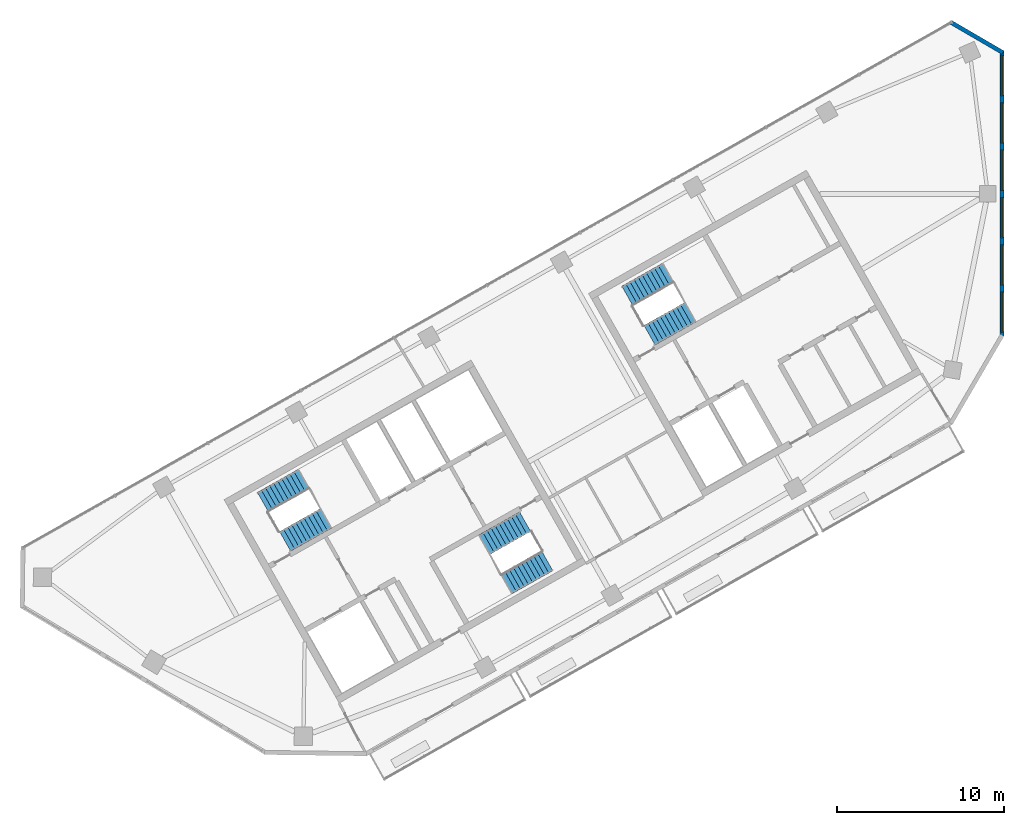
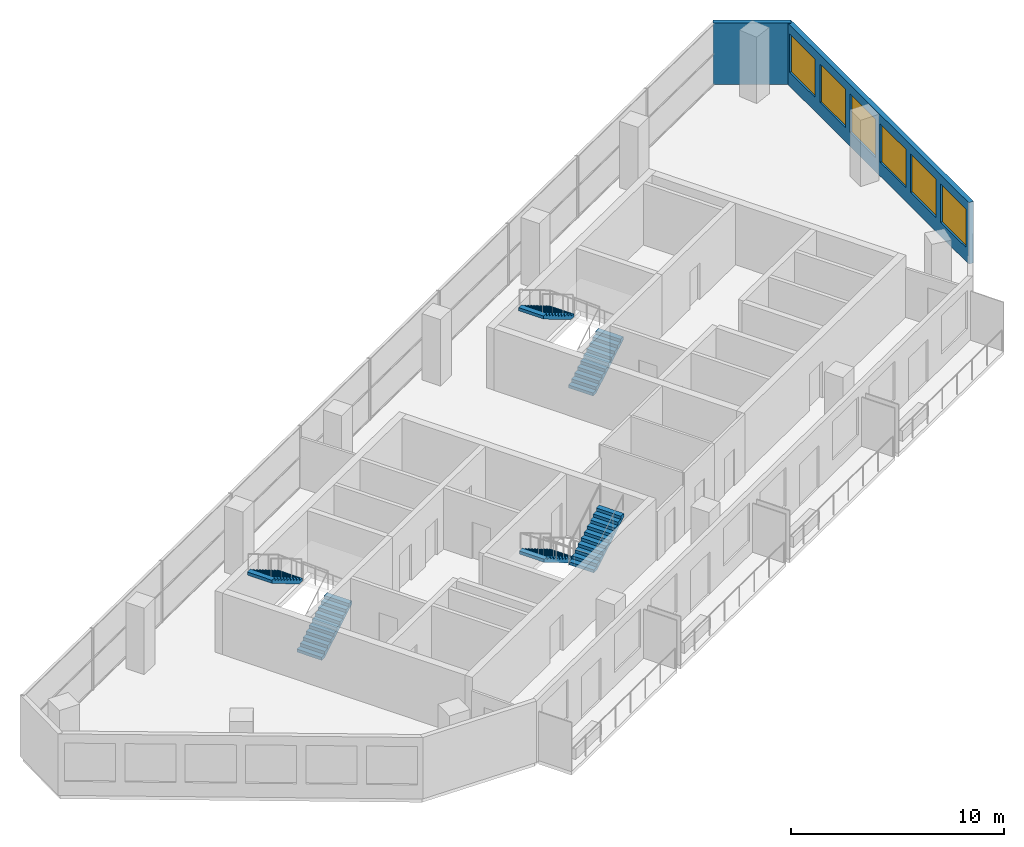
# One storey, part 8 of 10: 6 stair flights, 6 windows, 2 walls, 6 openings, 3 elements without a shape of their own.
"""IFC4 building model written with IfcOpenShell, lengths in metres."""

from ifc_helpers import new_model, si_unit, direction, frame, frame_2d, origin, place, context, subcontext, project, spatial, polyline, rectangle, outline, extrude, material, layer, layer_set, type_object, element, fill, aggregate, save


model = new_model("IFC4")

# Units and contexts
model_context = context("Model", 3, precision=1e-05, world=origin(), true_north=direction((0.0, 1.0)))
body_context = subcontext(model_context, "Body", "Model", "MODEL_VIEW")
ifc_project = project(units=[si_unit("LENGTHUNIT", "METRE"), si_unit("AREAUNIT", "SQUARE_METRE"), si_unit("VOLUMEUNIT", "CUBIC_METRE"), si_unit("PLANEANGLEUNIT", "RADIAN"), si_unit("MASSUNIT", "GRAM", prefix="KILO")], contexts=[model_context])

# Site, building, storey
site_placement = place(None, origin())
site = spatial("IfcSite", under=ifc_project, at=site_placement, CompositionType="ELEMENT")
building_placement = place(site_placement, origin())
building = spatial("IfcBuilding", under=site, at=building_placement, Name="Binnacle Exchange Tower", CompositionType="ELEMENT")
storey_placement = place(building_placement, frame((0.0, 0.0, 335.5)))
storey = spatial("IfcBuildingStorey", under=building, at=storey_placement, Name="L76", CompositionType="ELEMENT", Elevation=335.5)

# Wall, openings, windows
ifc_material_1 = material(Name="Bronze aluminium cladding", Category="aluminium")
ifc_layer = layer(ifc_material_1, 0.25)
ifc_layer_set = layer_set([ifc_layer], Name="External wall - window wall 250")
wall_type = type_object("IfcWallType", Name="External wall - window wall 250", PredefinedType="STANDARD", material=ifc_layer_set)
wall_1_placement = place(storey_placement, frame((0.0, 68.57177734375, 0.0), z_axis=(0.0, 0.0, 1.0), x_axis=(0.0, -1.0, 0.0)))
wall_1 = element("IfcWall", 1, at=wall_1_placement, inside=storey, type_object=wall_type, Name="External wall EW-H01 L76", PredefinedType="STANDARD", context=body_context, shape_type="SweptSolid", body=[
    extrude(rectangle(XDim=17.10546875, YDim=0.25, at=frame_2d((8.552734375, 0.0))), origin(), (0.0, 0.0, 1.0), 3.52001953125),
])
opening_1_placement = place(wall_1_placement, frame((14.455078125, 0.0, 0.800048828125)))
opening_1 = element("IfcOpeningElement", 2, at=opening_1_placement, cuts=wall_1, Name="Opening WR2", PredefinedType="OPENING", context=body_context, shape_type="SweptSolid", body=[
    extrude(rectangle(XDim=2.39990234375, YDim=2.199951171875, at=frame_2d((1.199951171875, 1.10009765625))), frame((0.0, 0.135009765625, 0.0), z_axis=(0.0, -1.0, 0.0), x_axis=(1.0, 0.0, 0.0)), (0.0, 0.0, 1.0), 0.27001953125),
])
opening_2_placement = place(wall_1_placement, frame((11.621826171875, 0.0, 0.800048828125)))
opening_2 = element("IfcOpeningElement", 3, at=opening_2_placement, cuts=wall_1, Name="Opening WR2", PredefinedType="OPENING", context=body_context, shape_type="SweptSolid", body=[
    extrude(rectangle(XDim=2.39990234375, YDim=2.199951171875, at=frame_2d((1.199951171875, 1.10009765625))), frame((0.0, 0.135009765625, 0.0), z_axis=(0.0, -1.0, 0.0), x_axis=(1.0, 0.0, 0.0)), (0.0, 0.0, 1.0), 0.27001953125),
])
opening_3_placement = place(wall_1_placement, frame((8.78857421875, 0.0, 0.800048828125)))
opening_3 = element("IfcOpeningElement", 4, at=opening_3_placement, cuts=wall_1, Name="Opening WR2", PredefinedType="OPENING", context=body_context, shape_type="SweptSolid", body=[
    extrude(rectangle(XDim=2.39990234375, YDim=2.199951171875, at=frame_2d((1.199951171875, 1.10009765625))), frame((0.0, 0.135009765625, 0.0), z_axis=(0.0, -1.0, 0.0), x_axis=(1.0, 0.0, 0.0)), (0.0, 0.0, 1.0), 0.27001953125),
])
opening_4_placement = place(wall_1_placement, frame((5.955078125, 0.0, 0.800048828125)))
opening_4 = element("IfcOpeningElement", 5, at=opening_4_placement, cuts=wall_1, Name="Opening WR2", PredefinedType="OPENING", context=body_context, shape_type="SweptSolid", body=[
    extrude(rectangle(XDim=2.39990234375, YDim=2.199951171875, at=frame_2d((1.199951171875, 1.10009765625))), frame((0.0, 0.135009765625, 0.0), z_axis=(0.0, -1.0, 0.0), x_axis=(1.0, 0.0, 0.0)), (0.0, 0.0, 1.0), 0.27001953125),
])
opening_5_placement = place(wall_1_placement, frame((3.121826171875, 0.0, 0.800048828125)))
opening_5 = element("IfcOpeningElement", 6, at=opening_5_placement, cuts=wall_1, Name="Opening WR2", PredefinedType="OPENING", context=body_context, shape_type="SweptSolid", body=[
    extrude(rectangle(XDim=2.39990234375, YDim=2.199951171875, at=frame_2d((1.199951171875, 1.10009765625))), frame((0.0, 0.135009765625, 0.0), z_axis=(0.0, -1.0, 0.0), x_axis=(1.0, 0.0, 0.0)), (0.0, 0.0, 1.0), 0.27001953125),
])
opening_6_placement = place(wall_1_placement, frame((0.28857421875, 0.0, 0.800048828125)))
opening_6 = element("IfcOpeningElement", 7, at=opening_6_placement, cuts=wall_1, Name="Opening WR2", PredefinedType="OPENING", context=body_context, shape_type="SweptSolid", body=[
    extrude(rectangle(XDim=2.39990234375, YDim=2.199951171875, at=frame_2d((1.199951171875, 1.10009765625))), frame((0.0, 0.135009765625, 0.0), z_axis=(0.0, -1.0, 0.0), x_axis=(1.0, 0.0, 0.0)), (0.0, 0.0, 1.0), 0.27001953125),
])
ifc_material_2 = material(Name="Bronze anodised aluminium frame", Category="aluminium")
window_type = type_object("IfcWindowType", Name="WR2 WINDOW 2400x2200", PartitioningType="SINGLE_PANEL", PredefinedType="WINDOW", material=ifc_material_2)
window_1_placement = place(opening_1_placement, origin())
window_1 = element("IfcWindow", 8, at=window_1_placement, inside=storey, type_object=window_type, Name="Window WR2 L76", OverallHeight=2.199951171875, OverallWidth=2.39990234375, PartitioningType="SINGLE_PANEL", PredefinedType="WINDOW", context=body_context, shape_type="SweptSolid", body=[
    extrude(rectangle(XDim=2.39990234375, YDim=2.199951171875, at=frame_2d((1.199951171875, 1.10009765625))), frame((0.0, 0.030029296875, 0.0), z_axis=(0.0, -1.0, 0.0), x_axis=(1.0, 0.0, 0.0)), (0.0, 0.0, 1.0), 0.06005859375),
])
fill(opening_1, window_1)
window_2_placement = place(opening_2_placement, origin())
window_2 = element("IfcWindow", 9, at=window_2_placement, inside=storey, type_object=window_type, Name="Window WR2 L76", OverallHeight=2.199951171875, OverallWidth=2.39990234375, PartitioningType="SINGLE_PANEL", PredefinedType="WINDOW", context=body_context, shape_type="SweptSolid", body=[
    extrude(rectangle(XDim=2.39990234375, YDim=2.199951171875, at=frame_2d((1.199951171875, 1.10009765625))), frame((0.0, 0.030029296875, 0.0), z_axis=(0.0, -1.0, 0.0), x_axis=(1.0, 0.0, 0.0)), (0.0, 0.0, 1.0), 0.06005859375),
])
fill(opening_2, window_2)
window_3_placement = place(opening_3_placement, origin())
window_3 = element("IfcWindow", 10, at=window_3_placement, inside=storey, type_object=window_type, Name="Window WR2 L76", OverallHeight=2.199951171875, OverallWidth=2.39990234375, PartitioningType="SINGLE_PANEL", PredefinedType="WINDOW", context=body_context, shape_type="SweptSolid", body=[
    extrude(rectangle(XDim=2.39990234375, YDim=2.199951171875, at=frame_2d((1.199951171875, 1.10009765625))), frame((0.0, 0.030029296875, 0.0), z_axis=(0.0, -1.0, 0.0), x_axis=(1.0, 0.0, 0.0)), (0.0, 0.0, 1.0), 0.06005859375),
])
fill(opening_3, window_3)
window_4_placement = place(opening_4_placement, origin())
window_4 = element("IfcWindow", 11, at=window_4_placement, inside=storey, type_object=window_type, Name="Window WR2 L76", OverallHeight=2.199951171875, OverallWidth=2.39990234375, PartitioningType="SINGLE_PANEL", PredefinedType="WINDOW", context=body_context, shape_type="SweptSolid", body=[
    extrude(rectangle(XDim=2.39990234375, YDim=2.199951171875, at=frame_2d((1.199951171875, 1.10009765625))), frame((0.0, 0.030029296875, 0.0), z_axis=(0.0, -1.0, 0.0), x_axis=(1.0, 0.0, 0.0)), (0.0, 0.0, 1.0), 0.06005859375),
])
fill(opening_4, window_4)
window_5_placement = place(opening_5_placement, origin())
window_5 = element("IfcWindow", 12, at=window_5_placement, inside=storey, type_object=window_type, Name="Window WR2 L76", OverallHeight=2.199951171875, OverallWidth=2.39990234375, PartitioningType="SINGLE_PANEL", PredefinedType="WINDOW", context=body_context, shape_type="SweptSolid", body=[
    extrude(rectangle(XDim=2.39990234375, YDim=2.199951171875, at=frame_2d((1.199951171875, 1.10009765625))), frame((0.0, 0.030029296875, 0.0), z_axis=(0.0, -1.0, 0.0), x_axis=(1.0, 0.0, 0.0)), (0.0, 0.0, 1.0), 0.06005859375),
])
fill(opening_5, window_5)
window_6_placement = place(opening_6_placement, origin())
window_6 = element("IfcWindow", 13, at=window_6_placement, inside=storey, type_object=window_type, Name="Window WR2 L76", OverallHeight=2.199951171875, OverallWidth=2.39990234375, PartitioningType="SINGLE_PANEL", PredefinedType="WINDOW", context=body_context, shape_type="SweptSolid", body=[
    extrude(rectangle(XDim=2.39990234375, YDim=2.199951171875, at=frame_2d((1.199951171875, 1.10009765625))), frame((0.0, 0.030029296875, 0.0), z_axis=(0.0, -1.0, 0.0), x_axis=(1.0, 0.0, 0.0)), (0.0, 0.0, 1.0), 0.06005859375),
])
fill(opening_6, window_6)

# Wall
wall_2_placement = place(storey_placement, frame((-3.108154296875, 70.312744140625, 0.0), z_axis=(0.0, 0.0, 1.0), x_axis=(0.86382474085, -0.503792434536, 0.0)))
element("IfcWall", 14, at=wall_2_placement, inside=storey, type_object=wall_type, Name="External wall EW-H02 L76", PredefinedType="STANDARD", context=body_context, shape_type="SweptSolid", body=[
    extrude(rectangle(XDim=3.669921875, YDim=0.25, at=frame_2d((1.8349609375, 0.0))), origin(), (0.0, 0.0, 1.0), 3.52001953125),
])

# Stair, stair flights
ifc_material_3 = material(Name="Concrete C35/45", Category="concrete")
stair_type = type_object("IfcStairType", Name="STAIR 22 RISERS 173", PredefinedType="HALF_TURN_STAIR", material=ifc_material_3)
stair_1_placement = place(storey_placement, origin())
stair_1 = element("IfcStair", 15, at=stair_1_placement, inside=storey, type_object=stair_type, Name="L76 Escape stair A1", PredefinedType="HALF_TURN_STAIR")
stair_flight_type = type_object("IfcStairFlightType", Name="STAIR FLIGHT 173X280", PredefinedType="STRAIGHT", material=ifc_material_3)
stair_flight_1_placement = place(storey_placement, frame((-42.9541015625, 39.17333984375, 0.0), z_axis=(0.0, 0.0, 1.0), x_axis=(0.870355584213, 0.492423757581, 0.0)))
stair_flight_1 = element("IfcStairFlight", 16, at=stair_flight_1_placement, type_object=stair_flight_type, Name="STA1 flight 1", NumberOfRisers=11, NumberOfTreads=10, PredefinedType="STRAIGHT", RiserHeight=0.172727273, TreadLength=0.28, context=body_context, shape_type="SweptSolid", body=[
    extrude(outline(polyline([(0.0, 0.0), (0.0, 0.172607421875), (0.280029296875, 0.172607421875), (0.280029296875, 0.345458984375), (0.56005859375, 0.345458984375), (0.56005859375, 0.51806640625), (0.840087890625, 0.51806640625), (0.840087890625, 0.69091796875), (1.1201171875, 0.69091796875), (1.1201171875, 0.863525390625), (1.39990234375, 0.863525390625), (1.39990234375, 1.036376953125), (1.679931640625, 1.036376953125), (1.679931640625, 1.208984375), (1.9599609375, 1.208984375), (1.9599609375, 1.3818359375), (2.239990234375, 1.3818359375), (2.239990234375, 1.554443359375), (2.52001953125, 1.554443359375), (2.52001953125, 1.727294921875), (2.800048828125, 1.727294921875), (2.800048828125, 1.89990234375), (2.800048828125, 1.551025390625), (0.285400390625, 0.0), (0.0, 0.0)])), frame((0.0, 0.675048828125, 0.0), z_axis=(0.0, -1.0, 0.0), x_axis=(1.0, 0.0, 0.0)), (0.0, 0.0, 1.0), 1.35009765625),
])
stair_flight_2_placement = place(storey_placement, frame((-41.846435546875, 42.902099609375, 1.89990234375), z_axis=(0.0, 0.0, 1.0), x_axis=(-0.870355584213, -0.492423757581, 0.0)))
stair_flight_2 = element("IfcStairFlight", 17, at=stair_flight_2_placement, type_object=stair_flight_type, Name="STA1 flight 2", NumberOfRisers=11, NumberOfTreads=10, PredefinedType="STRAIGHT", RiserHeight=0.172727273, TreadLength=0.28, context=body_context, shape_type="SweptSolid", body=[
    extrude(outline(polyline([(0.0, 0.0), (0.0, 0.172607421875), (0.280029296875, 0.172607421875), (0.280029296875, 0.345458984375), (0.56005859375, 0.345458984375), (0.56005859375, 0.51806640625), (0.840087890625, 0.51806640625), (0.840087890625, 0.69091796875), (1.1201171875, 0.69091796875), (1.1201171875, 0.863525390625), (1.39990234375, 0.863525390625), (1.39990234375, 1.036376953125), (1.679931640625, 1.036376953125), (1.679931640625, 1.208984375), (1.9599609375, 1.208984375), (1.9599609375, 1.3818359375), (2.239990234375, 1.3818359375), (2.239990234375, 1.554443359375), (2.52001953125, 1.554443359375), (2.52001953125, 1.727294921875), (2.800048828125, 1.727294921875), (2.800048828125, 1.89990234375), (2.800048828125, 1.551025390625), (0.285400390625, 0.0), (0.0, 0.0)])), frame((0.0, 0.675048828125, 0.0), z_axis=(0.0, -1.0, 0.0), x_axis=(1.0, 0.0, 0.0)), (0.0, 0.0, 1.0), 1.35009765625),
])
aggregate(stair_1, [stair_flight_1, stair_flight_2])

stair_2_placement = place(storey_placement, origin())
stair_2 = element("IfcStair", 18, at=stair_2_placement, inside=storey, type_object=stair_type, Name="L76 Escape stair A2", PredefinedType="HALF_TURN_STAIR")
stair_flight_3_placement = place(storey_placement, frame((-28.5732421875, 40.3583984375, 0.0), z_axis=(0.0, 0.0, 1.0), x_axis=(-0.870355584213, -0.492423757581, 0.0)))
stair_flight_3 = element("IfcStairFlight", 19, at=stair_flight_3_placement, type_object=stair_flight_type, Name="STA2 flight 1", NumberOfRisers=11, NumberOfTreads=10, PredefinedType="STRAIGHT", RiserHeight=0.172727273, TreadLength=0.28, context=body_context, shape_type="SweptSolid", body=[
    extrude(outline(polyline([(0.0, 0.0), (0.0, 0.172607421875), (0.280029296875, 0.172607421875), (0.280029296875, 0.345458984375), (0.56005859375, 0.345458984375), (0.56005859375, 0.51806640625), (0.840087890625, 0.51806640625), (0.840087890625, 0.69091796875), (1.1201171875, 0.69091796875), (1.1201171875, 0.863525390625), (1.39990234375, 0.863525390625), (1.39990234375, 1.036376953125), (1.679931640625, 1.036376953125), (1.679931640625, 1.208984375), (1.9599609375, 1.208984375), (1.9599609375, 1.3818359375), (2.239990234375, 1.3818359375), (2.239990234375, 1.554443359375), (2.52001953125, 1.554443359375), (2.52001953125, 1.727294921875), (2.800048828125, 1.727294921875), (2.800048828125, 1.89990234375), (2.800048828125, 1.551025390625), (0.285400390625, 0.0), (0.0, 0.0)])), frame((0.0, 0.675048828125, 0.0), z_axis=(0.0, -1.0, 0.0), x_axis=(1.0, 0.0, 0.0)), (0.0, 0.0, 1.0), 1.35009765625),
])
stair_flight_4_placement = place(storey_placement, frame((-29.6806640625, 36.629638671875, 1.89990234375), z_axis=(0.0, 0.0, 1.0), x_axis=(0.870355584213, 0.492423757581, 0.0)))
stair_flight_4 = element("IfcStairFlight", 20, at=stair_flight_4_placement, type_object=stair_flight_type, Name="STA2 flight 2", NumberOfRisers=11, NumberOfTreads=10, PredefinedType="STRAIGHT", RiserHeight=0.172727273, TreadLength=0.28, context=body_context, shape_type="SweptSolid", body=[
    extrude(outline(polyline([(0.0, 0.0), (0.0, 0.172607421875), (0.280029296875, 0.172607421875), (0.280029296875, 0.345458984375), (0.56005859375, 0.345458984375), (0.56005859375, 0.51806640625), (0.840087890625, 0.51806640625), (0.840087890625, 0.69091796875), (1.1201171875, 0.69091796875), (1.1201171875, 0.863525390625), (1.39990234375, 0.863525390625), (1.39990234375, 1.036376953125), (1.679931640625, 1.036376953125), (1.679931640625, 1.208984375), (1.9599609375, 1.208984375), (1.9599609375, 1.3818359375), (2.239990234375, 1.3818359375), (2.239990234375, 1.554443359375), (2.52001953125, 1.554443359375), (2.52001953125, 1.727294921875), (2.800048828125, 1.727294921875), (2.800048828125, 1.89990234375), (2.800048828125, 1.551025390625), (0.285400390625, 0.0), (0.0, 0.0)])), frame((0.0, 0.675048828125, 0.0), z_axis=(0.0, -1.0, 0.0), x_axis=(1.0, 0.0, 0.0)), (0.0, 0.0, 1.0), 1.35009765625),
])
aggregate(stair_2, [stair_flight_3, stair_flight_4])

stair_3_placement = place(storey_placement, origin())
stair_3 = element("IfcStair", 21, at=stair_3_placement, inside=storey, type_object=stair_type, Name="L76 Escape stair C1", PredefinedType="HALF_TURN_STAIR")
stair_flight_5_placement = place(storey_placement, frame((-21.115966796875, 51.528564453125, 0.0), z_axis=(0.0, 0.0, 1.0), x_axis=(0.870355584213, 0.492423757581, 0.0)))
stair_flight_5 = element("IfcStairFlight", 22, at=stair_flight_5_placement, type_object=stair_flight_type, Name="STC1 flight 1", NumberOfRisers=11, NumberOfTreads=10, PredefinedType="STRAIGHT", RiserHeight=0.172727273, TreadLength=0.28, context=body_context, shape_type="SweptSolid", body=[
    extrude(outline(polyline([(0.0, 0.0), (0.0, 0.172607421875), (0.280029296875, 0.172607421875), (0.280029296875, 0.345458984375), (0.56005859375, 0.345458984375), (0.56005859375, 0.51806640625), (0.840087890625, 0.51806640625), (0.840087890625, 0.69091796875), (1.1201171875, 0.69091796875), (1.1201171875, 0.863525390625), (1.39990234375, 0.863525390625), (1.39990234375, 1.036376953125), (1.679931640625, 1.036376953125), (1.679931640625, 1.208984375), (1.9599609375, 1.208984375), (1.9599609375, 1.3818359375), (2.239990234375, 1.3818359375), (2.239990234375, 1.554443359375), (2.52001953125, 1.554443359375), (2.52001953125, 1.727294921875), (2.800048828125, 1.727294921875), (2.800048828125, 1.89990234375), (2.800048828125, 1.551025390625), (0.285400390625, 0.0), (0.0, 0.0)])), frame((0.0, 0.675048828125, 0.0), z_axis=(0.0, -1.0, 0.0), x_axis=(1.0, 0.0, 0.0)), (0.0, 0.0, 1.0), 1.35009765625),
])
stair_flight_6_placement = place(storey_placement, frame((-20.008544921875, 55.25732421875, 1.89990234375), z_axis=(0.0, 0.0, 1.0), x_axis=(-0.870355584213, -0.492423757581, 0.0)))
stair_flight_6 = element("IfcStairFlight", 23, at=stair_flight_6_placement, type_object=stair_flight_type, Name="STC1 flight 2", NumberOfRisers=11, NumberOfTreads=10, PredefinedType="STRAIGHT", RiserHeight=0.172727273, TreadLength=0.28, context=body_context, shape_type="SweptSolid", body=[
    extrude(outline(polyline([(0.0, 0.0), (0.0, 0.172607421875), (0.280029296875, 0.172607421875), (0.280029296875, 0.345458984375), (0.56005859375, 0.345458984375), (0.56005859375, 0.51806640625), (0.840087890625, 0.51806640625), (0.840087890625, 0.69091796875), (1.1201171875, 0.69091796875), (1.1201171875, 0.863525390625), (1.39990234375, 0.863525390625), (1.39990234375, 1.036376953125), (1.679931640625, 1.036376953125), (1.679931640625, 1.208984375), (1.9599609375, 1.208984375), (1.9599609375, 1.3818359375), (2.239990234375, 1.3818359375), (2.239990234375, 1.554443359375), (2.52001953125, 1.554443359375), (2.52001953125, 1.727294921875), (2.800048828125, 1.727294921875), (2.800048828125, 1.89990234375), (2.800048828125, 1.551025390625), (0.285400390625, 0.0), (0.0, 0.0)])), frame((0.0, 0.675048828125, 0.0), z_axis=(0.0, -1.0, 0.0), x_axis=(1.0, 0.0, 0.0)), (0.0, 0.0, 1.0), 1.35009765625),
])
aggregate(stair_3, [stair_flight_5, stair_flight_6])

save(model, "model.ifc")
